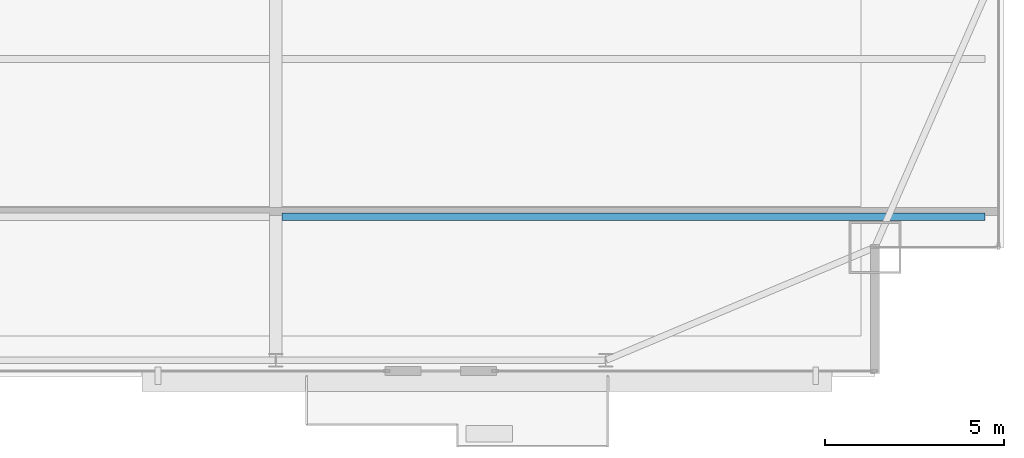
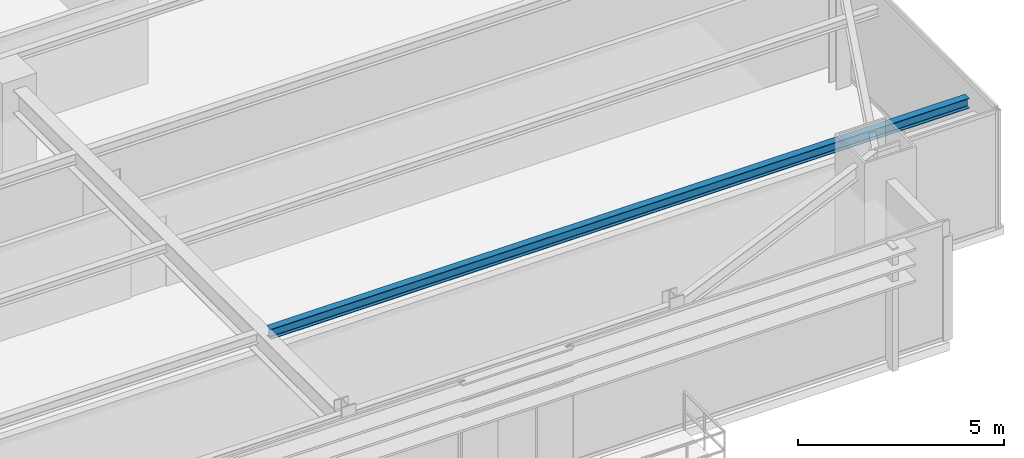
# One storey, part 15 of 31: 1 beam.
"""IFC4 building model written with IfcOpenShell, lengths in metres."""

from ifc_helpers import new_model, si_unit, direction, frame, origin, origin_2d, place, context, subcontext, project, spatial, i_section, extrude, source, transform, mapped, material, material_profile, profile_set, type_object, type_shapes, element, save


model = new_model("IFC4")

# Units and contexts
model_context = context("Model", 3, precision=1e-05, world=origin(), true_north=direction((0.0, 1.0)))
body_context = subcontext(model_context, "Body", "Model", "MODEL_VIEW")
ifc_project = project(units=[si_unit("LENGTHUNIT", "METRE"), si_unit("AREAUNIT", "SQUARE_METRE"), si_unit("VOLUMEUNIT", "CUBIC_METRE"), si_unit("PLANEANGLEUNIT", "RADIAN"), si_unit("MASSUNIT", "GRAM", prefix="KILO")], contexts=[model_context])

# Site, building, storey
site_placement = place(None, origin())
site = spatial("IfcSite", under=ifc_project, at=site_placement, CompositionType="ELEMENT")
building_placement = place(site_placement, origin())
building = spatial("IfcBuilding", under=site, at=building_placement, Name="Varnel Quay Broadcast Tower", CompositionType="ELEMENT")
storey_placement = place(building_placement, frame((0.0, 0.0, 94.60009765625)))
storey = spatial("IfcBuildingStorey", under=building, at=storey_placement, Name="L22", CompositionType="ELEMENT", Elevation=94.60009765625)

# Beam
ifc_material = material(Name="Structural Steel CSA G40.21 350W", Category="steel")
ifc_material_profile = material_profile(ifc_material, i_section(OverallWidth=0.202880859375, OverallDepth=0.302978515625, WebThickness=0.007568359375, FlangeThickness=0.01318359375, FilletRadius=0.011962890625, at=origin_2d()), Name="W310X60")
ifc_profile_set = profile_set([ifc_material_profile], Name="Structural Steel CSA G40.21 350W")
beam_type = type_object("IfcBeamType", Name="Beam_W310X60", PredefinedType="JOIST", material=ifc_profile_set)
shared_shape = source(origin(), body_context, "Body", "SweptSolid", [
    extrude(i_section(OverallWidth=0.202880859375, OverallDepth=0.302978515625, WebThickness=0.007568359375, FlangeThickness=0.01318359375, FilletRadius=0.011962890625, at=origin_2d()), origin(), (0.0, 0.0, 1.0), 19.592041015625),
])
type_shapes(beam_type, [shared_shape])
beam_placement = place(storey_placement, frame((43.37255859375, 8.64990234375, 3.368408203125), z_axis=(1.0, 0.0, 0.0), x_axis=(0.0, 1.0, 0.0)))
element("IfcBeam", 1, at=beam_placement, inside=storey, type_object=beam_type, Name="L22 East Floor Joist 1", PredefinedType="JOIST", context=body_context, shape_type="MappedRepresentation", body=[
    mapped(shared_shape, transform((0.0, 0.0, 0.0), x_axis=(1.0, 0.0, 0.0), y_axis=(0.0, 1.0, 0.0), z_axis=(0.0, 0.0, 1.0), scale=1.0)),
])

save(model, "model.ifc")
